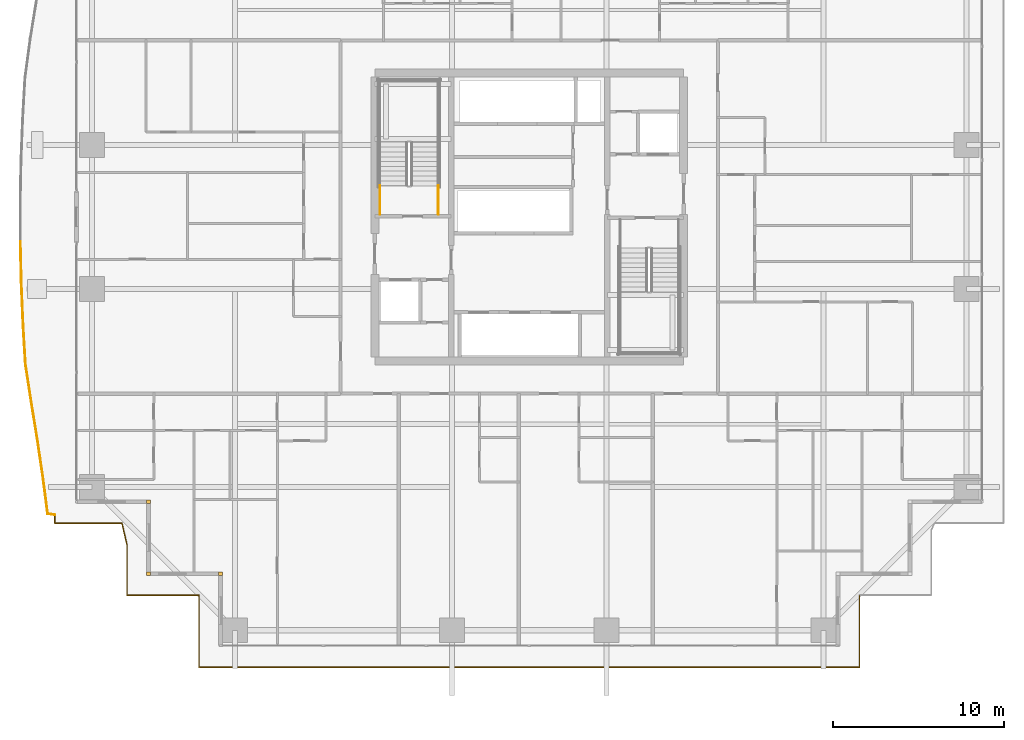
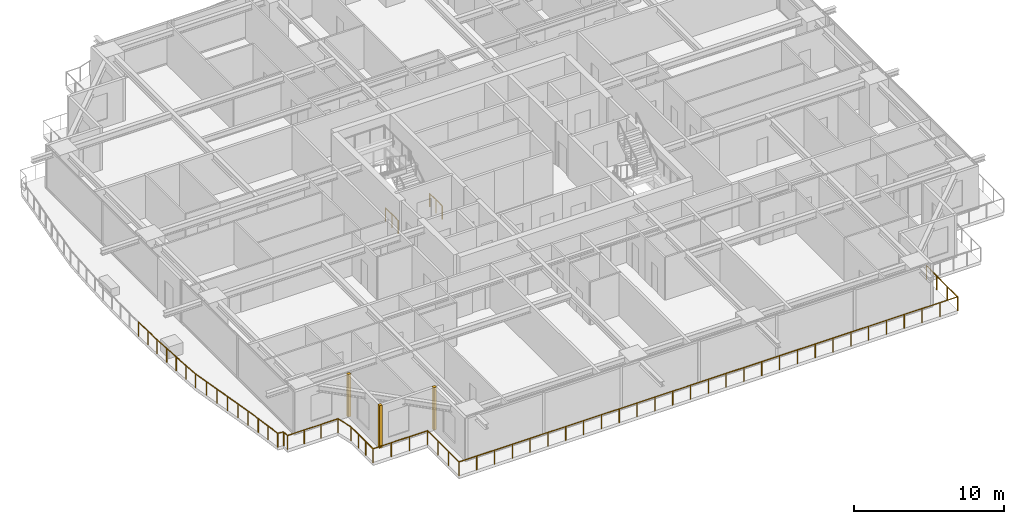
# One storey, part 30 of 35: 4 railings, 3 coverings.
"""IFC4 building model written with IfcOpenShell, lengths in metres."""

from ifc_helpers import new_model, si_unit, direction, frame, origin, origin_2d, place, context, subcontext, project, spatial, rectangle, circle, extrude, source, transform, mapped, material, layer, layer_set, type_object, element, save


model = new_model("IFC4")

# Units and contexts
model_context = context("Model", 3, precision=1e-05, world=origin(), true_north=direction((0.0, 1.0)))
body_context = subcontext(model_context, "Body", "Model", "MODEL_VIEW")
ifc_project = project(units=[si_unit("LENGTHUNIT", "METRE"), si_unit("AREAUNIT", "SQUARE_METRE"), si_unit("VOLUMEUNIT", "CUBIC_METRE"), si_unit("PLANEANGLEUNIT", "RADIAN"), si_unit("MASSUNIT", "GRAM", prefix="KILO")], contexts=[model_context])

# Site, building, storey
site_placement = place(None, origin())
site = spatial("IfcSite", under=ifc_project, at=site_placement, CompositionType="ELEMENT")
building_placement = place(site_placement, origin())
building = spatial("IfcBuilding", under=site, at=building_placement, Name="Serunith Strait Residences", CompositionType="ELEMENT")
storey_placement = place(building_placement, frame((0.0, 0.0, 56.699951171875)))
storey = spatial("IfcBuildingStorey", under=building, at=storey_placement, Name="L13", CompositionType="ELEMENT", Elevation=56.699951171875)

# Railings
ifc_material_1 = material(Name="Stainless Steel & Laminated Glass Balustrade", Category="steel")
railing_type_1 = type_object("IfcRailingType", Name="RLG-BALC-1150", PredefinedType="BALUSTRADE", material=ifc_material_1)
railing_1_placement = place(storey_placement, frame((4.739990234375, 7.830078125, -0.050048828125)))
element("IfcRailing", 1, at=railing_1_placement, inside=storey, type_object=railing_type_1, Name="L13 Swirling Balcony Perimeter Balustrade 1", PredefinedType="BALUSTRADE", context=body_context, shape_type="SweptSolid", body=[
    extrude(circle(Radius=0.02392578125, at=origin_2d()), frame((-0.001953125, 0.000244140625, 1.1259765625), z_axis=(-0.987112824927, 0.160025844366, 0.0), x_axis=(-0.160025844366, -0.987112824927, 0.0)), (0.0, 0.0, 1.0), 0.421630859375),
    extrude(circle(Radius=0.02392578125, at=origin_2d()), frame((-0.42041015625, 0.070068359375, 1.1259765625), z_axis=(-0.127124194001, 0.991886807705, 0.0), x_axis=(-0.991886807705, -0.127124194001, 0.0)), (0.0, 0.0, 1.0), 2.14501953125),
    extrude(circle(Radius=0.02392578125, at=origin_2d()), frame((-0.693603515625, 2.20166015625, 1.1259765625), z_axis=(-0.146800456089, 0.98916612664, 0.0), x_axis=(-0.98916612664, -0.146800456089, 0.0)), (0.0, 0.0, 1.0), 2.174560546875),
    extrude(circle(Radius=0.02392578125, at=origin_2d()), frame((-1.013427734375, 4.356689453125, 1.1259765625), z_axis=(-0.159622720779, 0.987178092854, 0.0), x_axis=(-0.987178092854, -0.159622720779, 0.0)), (0.0, 0.0, 1.0), 2.21826171875),
    extrude(circle(Radius=0.02392578125, at=origin_2d()), frame((-1.3681640625, 6.550537109375, 1.1259765625), z_axis=(-0.152580153453, 0.988291099207, 0.0), x_axis=(-0.988291099207, -0.152580153453, 0.0)), (0.0, 0.0, 1.0), 2.276123046875),
    extrude(circle(Radius=0.02392578125, at=origin_2d()), frame((-1.7158203125, 8.803955078125, 1.1259765625), z_axis=(-0.058813069137, 0.998269013292, 0.0), x_axis=(-0.998269013292, -0.058813069137, 0.0)), (0.0, 0.0, 1.0), 2.353759765625),
    extrude(circle(Radius=0.02392578125, at=origin_2d()), frame((-1.8544921875, 11.15771484375, 1.1259765625), z_axis=(-0.041996952318, 0.999117738806, 0.0), x_axis=(-0.999117738806, -0.041996952318, 0.0)), (0.0, 0.0, 1.0), 2.37939453125),
    extrude(circle(Radius=0.02392578125, at=origin_2d()), frame((-1.95458984375, 13.5390625, 1.1259765625), z_axis=(-0.022374865036, 0.99974965137, 0.0), x_axis=(-0.99974965137, -0.022374865036, 0.0)), (0.0, 0.0, 1.0), 2.396484375),
    extrude(circle(Radius=0.02099609375, at=origin_2d()), origin(), (0.0, 0.0, 1.0), 1.099853515625),
    extrude(circle(Radius=0.02099609375, at=origin_2d()), frame((-0.420166015625, 0.068115234375, 0.0)), (0.0, 0.0, 1.0), 1.099853515625),
    extrude(circle(Radius=0.02099609375, at=origin_2d()), frame((-0.556640625, 1.1337890625, 0.0)), (0.0, 0.0, 1.0), 1.099853515625),
    extrude(circle(Radius=0.02099609375, at=origin_2d()), frame((-0.693359375, 2.19970703125, 0.0)), (0.0, 0.0, 1.0), 1.099853515625),
    extrude(circle(Radius=0.02099609375, at=origin_2d()), frame((-0.853271484375, 3.27734375, 0.0)), (0.0, 0.0, 1.0), 1.099853515625),
    extrude(circle(Radius=0.02099609375, at=origin_2d()), frame((-1.01318359375, 4.354736328125, 0.0)), (0.0, 0.0, 1.0), 1.099853515625),
    extrude(circle(Radius=0.02099609375, at=origin_2d()), frame((-1.1904296875, 5.45166015625, 0.0)), (0.0, 0.0, 1.0), 1.099853515625),
    extrude(circle(Radius=0.02099609375, at=origin_2d()), frame((-1.367919921875, 6.548583984375, 0.0)), (0.0, 0.0, 1.0), 1.099853515625),
    extrude(circle(Radius=0.02099609375, at=origin_2d()), frame((-1.5419921875, 7.67529296875, 0.0)), (0.0, 0.0, 1.0), 1.099853515625),
    extrude(circle(Radius=0.02099609375, at=origin_2d()), frame((-1.7158203125, 8.802001953125, 0.0)), (0.0, 0.0, 1.0), 1.099853515625),
    extrude(circle(Radius=0.02099609375, at=origin_2d()), frame((-1.78515625, 9.97900390625, 0.0)), (0.0, 0.0, 1.0), 1.099853515625),
    extrude(circle(Radius=0.02099609375, at=origin_2d()), frame((-1.8544921875, 11.15576171875, 0.0)), (0.0, 0.0, 1.0), 1.099853515625),
    extrude(circle(Radius=0.02099609375, at=origin_2d()), frame((-1.904541015625, 12.346435546875, 0.0)), (0.0, 0.0, 1.0), 1.099853515625),
    extrude(circle(Radius=0.02099609375, at=origin_2d()), frame((-1.95458984375, 13.537109375, 0.0)), (0.0, 0.0, 1.0), 1.099853515625),
    extrude(circle(Radius=0.02099609375, at=origin_2d()), frame((-1.9814453125, 14.737060546875, 0.0)), (0.0, 0.0, 1.0), 1.099853515625),
    extrude(circle(Radius=0.02099609375, at=origin_2d()), frame((-2.00830078125, 15.93701171875, 0.0)), (0.0, 0.0, 1.0), 1.099853515625),
])
railing_2_placement = place(storey_placement, frame((51.659912109375, 3.139892578125, -0.050048828125)))
element("IfcRailing", 2, at=railing_2_placement, inside=storey, type_object=railing_type_1, Name="L13 Swirling Balcony Perimeter Balustrade 8", PredefinedType="BALUSTRADE", context=body_context, shape_type="SweptSolid", body=[
    extrude(circle(Radius=0.02392578125, at=origin_2d()), frame((0.0, -0.001953125, 1.1259765625), z_axis=(0.0, -1.0, 0.0), x_axis=(1.0, 0.0, 0.0)), (0.0, 0.0, 1.0), 4.196044921875),
    extrude(circle(Radius=0.02392578125, at=origin_2d()), frame((-0.001953125, -4.199951171875, 1.1259765625), z_axis=(-1.0, 0.0, 0.0), x_axis=(0.0, -1.0, 0.0)), (0.0, 0.0, 1.0), 38.51611328125),
    extrude(circle(Radius=0.02392578125, at=origin_2d()), frame((-38.52001953125, -4.197998046875, 1.1259765625), z_axis=(0.0, 1.0, 0.0), x_axis=(-1.0, 0.0, 0.0)), (0.0, 0.0, 1.0), 4.196044921875),
    extrude(circle(Radius=0.02392578125, at=origin_2d()), frame((-38.52197265625, 0.0, 1.1259765625), z_axis=(-1.0, 0.0, 0.0), x_axis=(0.0, -1.0, 0.0)), (0.0, 0.0, 1.0), 4.196044921875),
    extrude(circle(Radius=0.02392578125, at=origin_2d()), frame((-42.719970703125, 0.001953125, 1.1259765625), z_axis=(0.0, 1.0, 0.0), x_axis=(-1.0, 0.0, 0.0)), (0.0, 0.0, 1.0), 2.938720703125),
    extrude(circle(Radius=0.02392578125, at=origin_2d()), frame((-42.720458984375, 2.944580078125, 1.1259765625), z_axis=(-0.224016511967, 0.974585348939, 0.0), x_axis=(-0.974585348939, -0.224016511967, 0.0)), (0.0, 0.0, 1.0), 1.286376953125),
    extrude(circle(Radius=0.02392578125, at=origin_2d()), frame((-43.010986328125, 4.2001953125, 1.1259765625), z_axis=(-1.0, 0.0, 0.0), x_axis=(0.0, -1.0, 0.0)), (0.0, 0.0, 1.0), 3.906982421875),
    extrude(circle(Radius=0.02392578125, at=origin_2d()), frame((-46.919921875, 4.2021484375, 1.1259765625), z_axis=(0.0, 1.0, 0.0), x_axis=(-1.0, 0.0, 0.0)), (0.0, 0.0, 1.0), 0.486083984375),
    extrude(circle(Radius=0.02099609375, at=origin_2d()), origin(), (0.0, 0.0, 1.0), 1.099853515625),
    extrude(circle(Radius=0.02099609375, at=origin_2d()), frame((0.0, -1.39990234375, 0.0)), (0.0, 0.0, 1.0), 1.099853515625),
    extrude(circle(Radius=0.02099609375, at=origin_2d()), frame((0.0, -2.800048828125, 0.0)), (0.0, 0.0, 1.0), 1.099853515625),
    extrude(circle(Radius=0.02099609375, at=origin_2d()), frame((0.0, -4.199951171875, 0.0)), (0.0, 0.0, 1.0), 1.099853515625),
    extrude(circle(Radius=0.02099609375, at=origin_2d()), frame((-1.375732421875, -4.199951171875, 0.0)), (0.0, 0.0, 1.0), 1.099853515625),
    extrude(circle(Radius=0.02099609375, at=origin_2d()), frame((-2.75146484375, -4.199951171875, 0.0)), (0.0, 0.0, 1.0), 1.099853515625),
    extrude(circle(Radius=0.02099609375, at=origin_2d()), frame((-4.127197265625, -4.199951171875, 0.0)), (0.0, 0.0, 1.0), 1.099853515625),
    extrude(circle(Radius=0.02099609375, at=origin_2d()), frame((-5.5029296875, -4.199951171875, 0.0)), (0.0, 0.0, 1.0), 1.099853515625),
    extrude(circle(Radius=0.02099609375, at=origin_2d()), frame((-6.878662109375, -4.199951171875, 0.0)), (0.0, 0.0, 1.0), 1.099853515625),
    extrude(circle(Radius=0.02099609375, at=origin_2d()), frame((-8.25439453125, -4.199951171875, 0.0)), (0.0, 0.0, 1.0), 1.099853515625),
    extrude(circle(Radius=0.02099609375, at=origin_2d()), frame((-9.6298828125, -4.199951171875, 0.0)), (0.0, 0.0, 1.0), 1.099853515625),
    extrude(circle(Radius=0.02099609375, at=origin_2d()), frame((-11.005615234375, -4.199951171875, 0.0)), (0.0, 0.0, 1.0), 1.099853515625),
    extrude(circle(Radius=0.02099609375, at=origin_2d()), frame((-12.38134765625, -4.199951171875, 0.0)), (0.0, 0.0, 1.0), 1.099853515625),
    extrude(circle(Radius=0.02099609375, at=origin_2d()), frame((-13.757080078125, -4.199951171875, 0.0)), (0.0, 0.0, 1.0), 1.099853515625),
    extrude(circle(Radius=0.02099609375, at=origin_2d()), frame((-15.1328125, -4.199951171875, 0.0)), (0.0, 0.0, 1.0), 1.099853515625),
    extrude(circle(Radius=0.02099609375, at=origin_2d()), frame((-16.508544921875, -4.199951171875, 0.0)), (0.0, 0.0, 1.0), 1.099853515625),
    extrude(circle(Radius=0.02099609375, at=origin_2d()), frame((-17.88427734375, -4.199951171875, 0.0)), (0.0, 0.0, 1.0), 1.099853515625),
    extrude(circle(Radius=0.02099609375, at=origin_2d()), frame((-19.260009765625, -4.199951171875, 0.0)), (0.0, 0.0, 1.0), 1.099853515625),
    extrude(circle(Radius=0.02099609375, at=origin_2d()), frame((-20.6357421875, -4.199951171875, 0.0)), (0.0, 0.0, 1.0), 1.099853515625),
    extrude(circle(Radius=0.02099609375, at=origin_2d()), frame((-22.011474609375, -4.199951171875, 0.0)), (0.0, 0.0, 1.0), 1.099853515625),
    extrude(circle(Radius=0.02099609375, at=origin_2d()), frame((-23.38720703125, -4.199951171875, 0.0)), (0.0, 0.0, 1.0), 1.099853515625),
    extrude(circle(Radius=0.02099609375, at=origin_2d()), frame((-24.762939453125, -4.199951171875, 0.0)), (0.0, 0.0, 1.0), 1.099853515625),
    extrude(circle(Radius=0.02099609375, at=origin_2d()), frame((-26.138671875, -4.199951171875, 0.0)), (0.0, 0.0, 1.0), 1.099853515625),
    extrude(circle(Radius=0.02099609375, at=origin_2d()), frame((-27.514404296875, -4.199951171875, 0.0)), (0.0, 0.0, 1.0), 1.099853515625),
    extrude(circle(Radius=0.02099609375, at=origin_2d()), frame((-28.89013671875, -4.199951171875, 0.0)), (0.0, 0.0, 1.0), 1.099853515625),
    extrude(circle(Radius=0.02099609375, at=origin_2d()), frame((-30.265625, -4.199951171875, 0.0)), (0.0, 0.0, 1.0), 1.099853515625),
    extrude(circle(Radius=0.02099609375, at=origin_2d()), frame((-31.641357421875, -4.199951171875, 0.0)), (0.0, 0.0, 1.0), 1.099853515625),
    extrude(circle(Radius=0.02099609375, at=origin_2d()), frame((-33.01708984375, -4.199951171875, 0.0)), (0.0, 0.0, 1.0), 1.099853515625),
    extrude(circle(Radius=0.02099609375, at=origin_2d()), frame((-34.392822265625, -4.199951171875, 0.0)), (0.0, 0.0, 1.0), 1.099853515625),
    extrude(circle(Radius=0.02099609375, at=origin_2d()), frame((-35.7685546875, -4.199951171875, 0.0)), (0.0, 0.0, 1.0), 1.099853515625),
    extrude(circle(Radius=0.02099609375, at=origin_2d()), frame((-37.144287109375, -4.199951171875, 0.0)), (0.0, 0.0, 1.0), 1.099853515625),
    extrude(circle(Radius=0.02099609375, at=origin_2d()), frame((-38.52001953125, -4.199951171875, 0.0)), (0.0, 0.0, 1.0), 1.099853515625),
    extrude(circle(Radius=0.02099609375, at=origin_2d()), frame((-38.52001953125, -2.800048828125, 0.0)), (0.0, 0.0, 1.0), 1.099853515625),
    extrude(circle(Radius=0.02099609375, at=origin_2d()), frame((-38.52001953125, -1.39990234375, 0.0)), (0.0, 0.0, 1.0), 1.099853515625),
    extrude(circle(Radius=0.02099609375, at=origin_2d()), frame((-38.52001953125, 0.0, 0.0)), (0.0, 0.0, 1.0), 1.099853515625),
    extrude(circle(Radius=0.02099609375, at=origin_2d()), frame((-39.919921875, 0.0, 0.0)), (0.0, 0.0, 1.0), 1.099853515625),
    extrude(circle(Radius=0.02099609375, at=origin_2d()), frame((-41.320068359375, 0.0, 0.0)), (0.0, 0.0, 1.0), 1.099853515625),
    extrude(circle(Radius=0.02099609375, at=origin_2d()), frame((-42.719970703125, 0.0, 0.0)), (0.0, 0.0, 1.0), 1.099853515625),
    extrude(circle(Radius=0.02099609375, at=origin_2d()), frame((-42.719970703125, 0.98095703125, 0.0)), (0.0, 0.0, 1.0), 1.099853515625),
    extrude(circle(Radius=0.02099609375, at=origin_2d()), frame((-42.719970703125, 1.961669921875, 0.0)), (0.0, 0.0, 1.0), 1.099853515625),
    extrude(circle(Radius=0.02099609375, at=origin_2d()), frame((-42.719970703125, 2.942626953125, 0.0)), (0.0, 0.0, 1.0), 1.099853515625),
    extrude(circle(Radius=0.02099609375, at=origin_2d()), frame((-43.009033203125, 4.2001953125, 0.0)), (0.0, 0.0, 1.0), 1.099853515625),
    extrude(circle(Radius=0.02099609375, at=origin_2d()), frame((-44.312744140625, 4.2001953125, 0.0)), (0.0, 0.0, 1.0), 1.099853515625),
    extrude(circle(Radius=0.02099609375, at=origin_2d()), frame((-45.6162109375, 4.2001953125, 0.0)), (0.0, 0.0, 1.0), 1.099853515625),
    extrude(circle(Radius=0.02099609375, at=origin_2d()), frame((-46.919921875, 4.2001953125, 0.0)), (0.0, 0.0, 1.0), 1.099853515625),
    extrude(circle(Radius=0.02099609375, at=origin_2d()), frame((-46.919921875, 4.690185546875, 0.0)), (0.0, 0.0, 1.0), 1.099853515625),
])
ifc_material_2 = material(Name="Brushed stainless steel 316L", Category="steel")
railing_type_2 = type_object("IfcRailingType", Name="RLG-STAIR-GUARD", PredefinedType="BALUSTRADE", material=ifc_material_2)
for number, where, name in (
    (3, (27.10009765625, 25.35009765625, 0.0), "L13 ST-1 stair guard 8"),
    (4, (23.699951171875, 25.35009765625, 0.0), "L13 ST-1 stair guard 9"),
):
    element("IfcRailing", number, at=place(storey_placement, frame(where)), inside=storey, type_object=railing_type_2, Name=name, PredefinedType="BALUSTRADE", context=body_context, shape_type="SweptSolid", body=[
        extrude(circle(Radius=0.02392578125, at=origin_2d()), frame((0.0, 0.001953125, 1.076171875), z_axis=(0.0, 1.0, 0.0), x_axis=(-1.0, 0.0, 0.0)), (0.0, 0.0, 1.0), 1.676025390625),
        extrude(circle(Radius=0.02099609375, at=origin_2d()), origin(), (0.0, 0.0, 1.0), 1.050048828125),
        extrude(circle(Radius=0.02099609375, at=origin_2d()), frame((0.0, 0.83984375, 0.0)), (0.0, 0.0, 1.0), 1.050048828125),
        extrude(circle(Radius=0.02099609375, at=origin_2d()), frame((0.0, 1.679931640625, 0.0)), (0.0, 0.0, 1.0), 1.050048828125),
    ])

# Coverings
ifc_material_3 = material(Name="Pale-Champagne Anodised Aluminium", Category="aluminium")
ifc_layer = layer(ifc_material_3, 0.219970703125, Name="Pale-Champagne Anodised Aluminium")
ifc_layer_set = layer_set([ifc_layer], Name="Pale-Champagne Anodised Aluminium")
covering_type = type_object("IfcCoveringType", Name="COV-CORN-TRIM", PredefinedType="CLADDING", material=ifc_layer_set)
shared_shape = source(origin(), body_context, "Body", "SweptSolid", [
    extrude(rectangle(XDim=0.221923828125, YDim=0.221923828125, at=origin_2d()), origin(), (0.0, 0.0, 1.0), 3.47509765625),
])
for number, where, z_axis, x_axis, name in (
    (5, (10.199951171875, 8.60009765625, 0.0), (0.0, 0.0, 1.0), (1.0, 0.0, 0.0), "L13 Girih Serrated Corner Trim Post 17"),
    (6, (10.199951171875, 4.39990234375, 0.0), (0.0, 0.0, 1.0), (1.0, 0.0, 0.0), "L13 Girih Serrated Corner Trim Post 18"),
    (7, (14.39990234375, 4.39990234375, 0.0), (0.0, 0.0, 1.0), (1.0, 0.0, 0.0), "L13 Girih Serrated Corner Trim Post 19"),
):
    element("IfcCovering", number, at=place(storey_placement, frame(where, z_axis=z_axis, x_axis=x_axis)), inside=storey, type_object=covering_type, Name=name, PredefinedType="CLADDING", context=body_context, shape_type="MappedRepresentation", body=[
        mapped(shared_shape, transform((0.0, 0.0, 0.0), scale=1.0)),
    ])

save(model, "model.ifc")
